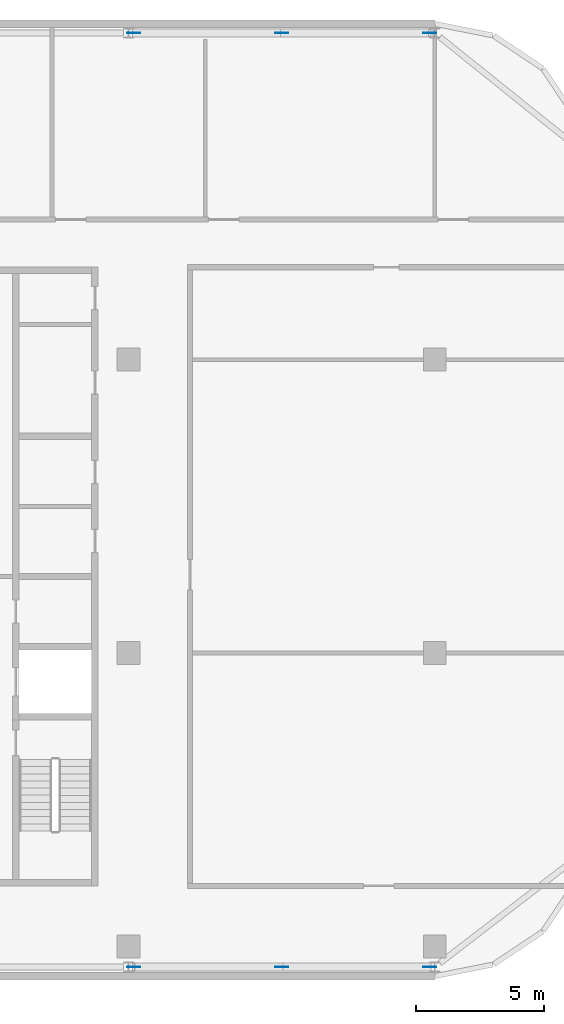
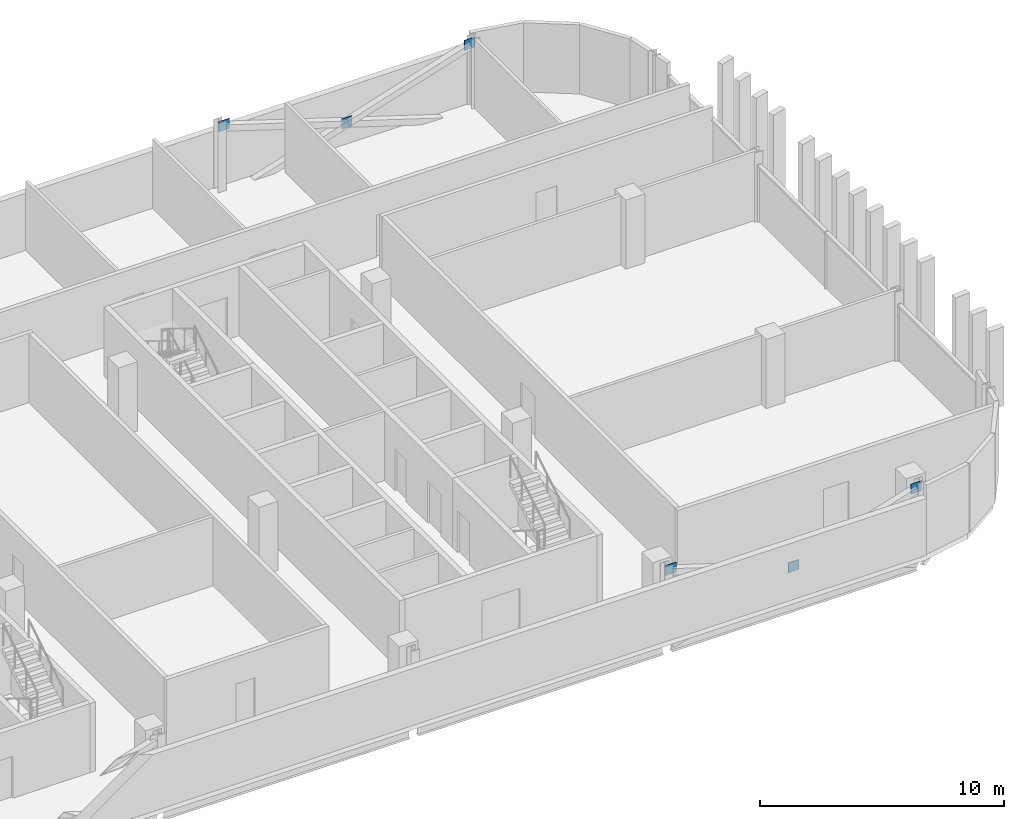
# One storey, part 20 of 25: 6 discrete accessories.
"""IFC4 building model written with IfcOpenShell, lengths in metres."""

from ifc_helpers import new_model, si_unit, direction, frame, origin, origin_2d, place, context, subcontext, project, spatial, rectangle, extrude, material, layer, layer_set, type_object, element, save


model = new_model("IFC4")

# Units and contexts
model_context = context("Model", 3, precision=1e-05, world=origin(), true_north=direction((0.0, 1.0)))
body_context = subcontext(model_context, "Body", "Model", "MODEL_VIEW")
ifc_project = project(units=[si_unit("LENGTHUNIT", "METRE"), si_unit("AREAUNIT", "SQUARE_METRE"), si_unit("VOLUMEUNIT", "CUBIC_METRE"), si_unit("PLANEANGLEUNIT", "RADIAN"), si_unit("MASSUNIT", "GRAM", prefix="KILO")], contexts=[model_context])

# Site, building, storey
site_placement = place(None, origin())
site = spatial("IfcSite", under=ifc_project, at=site_placement, CompositionType="ELEMENT")
building_placement = place(site_placement, origin())
building = spatial("IfcBuilding", under=site, at=building_placement, Name="Mahtab Terrace Research Tower", CompositionType="ELEMENT")
storey_placement = place(building_placement, frame((0.0, 0.0, 278.5)))
storey = spatial("IfcBuildingStorey", under=building, at=storey_placement, Name="L68", CompositionType="ELEMENT", Elevation=278.5)

# Discrete accessories
ifc_material = material(Name="Steel ASTM A992 Gr 50", Category="steel")
ifc_layer = layer(ifc_material, 0.030029296875)
ifc_layer_set = layer_set([ifc_layer], Name="Gusset plate 500x500x30")
discrete_accessory_type = type_object("IfcDiscreteAccessoryType", Name="Gusset plate 500x500x30", PredefinedType="USERDEFINED", material=ifc_layer_set)
for number, where, z_axis, x_axis, name in (
    (1, (30.197021484375, -12.306884765625, 2.906494140625), (0.0, 0.0, 1.0), (1.0, 0.0, 0.0), "Gusset plate"),
    (2, (30.197021484375, 24.306884765625, 2.906494140625), (0.0, 0.0, 1.0), (1.0, 0.0, 0.0), "Gusset plate"),
    (3, (36.0, -12.306884765625, 1.006591796875), (0.0, 0.0, 1.0), (1.0, 0.0, 0.0), "Gusset plate"),
    (4, (36.0, 24.306884765625, 1.006591796875), (0.0, 0.0, 1.0), (1.0, 0.0, 0.0), "Gusset plate"),
    (5, (41.80322265625, -12.306884765625, 2.906494140625), (0.0, 0.0, 1.0), (1.0, 0.0, 0.0), "Gusset plate"),
    (6, (41.80322265625, 24.306884765625, 2.906494140625), (0.0, 0.0, 1.0), (1.0, 0.0, 0.0), "Gusset plate"),
):
    element("IfcDiscreteAccessory", number, at=place(storey_placement, frame(where, z_axis=z_axis, x_axis=x_axis)), inside=storey, type_object=discrete_accessory_type, Name=name, ObjectType="GUSSET PLATE", PredefinedType="USERDEFINED", context=body_context, shape_type="SweptSolid", body=[
        extrude(rectangle(XDim=0.5, YDim=0.030029296875, at=origin_2d()), origin(), (0.0, 0.0, 1.0), 0.5),
    ])

save(model, "model.ifc")
